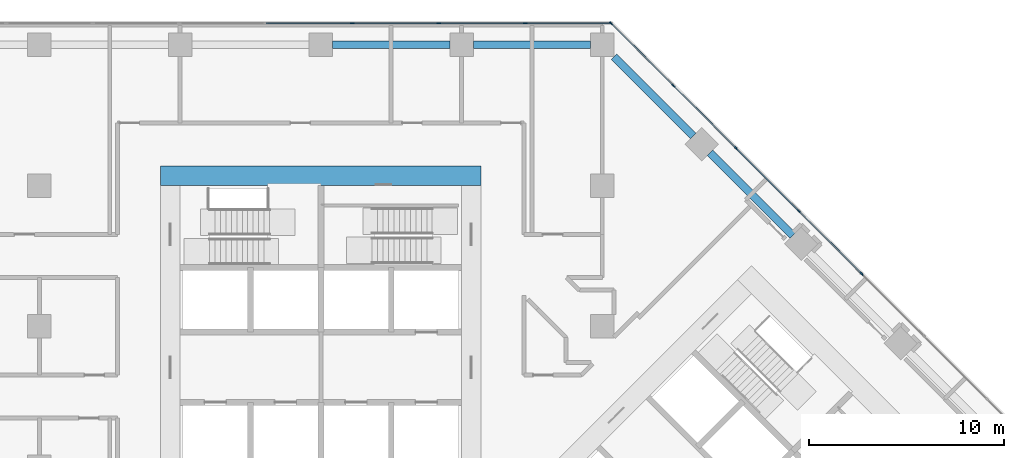
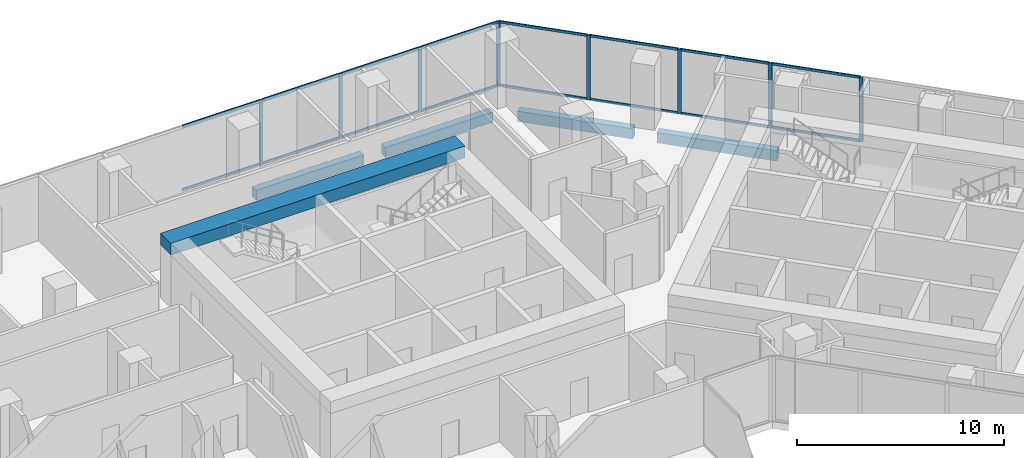
# One storey, part 13 of 27: 24 members, 5 beams, 2 elements without a shape of their own.
"""IFC4 building model written with IfcOpenShell, lengths in metres."""

import ifcopenshell
import ifcopenshell.guid

model = None  # the IFC model being written
_history = None  # IfcOwnerHistory: only IFC2X3 demands one
_inside = {}  # id of a spatial element -> (the spatial element, [elements in it])
_under = {}  # id of a project, library or spatial element -> (it, [spatial elements below it])
_declared = {}  # id of a project -> (the project, [libraries it declares])
_typed = {}  # id of a type object -> (the type object, [elements of that type])
_made_of = {}  # id of a material, layer set ... -> (it, [elements and type objects made of it])


def new_model(schema):
    """Start an empty IFC model of exactly this schema.

    Asked for "IFC4X3", IfcOpenShell would pick the latest addendum, in which some entities
    have other attributes; the version numbers below select the first issue.
    IFC2X3 requires an IfcOwnerHistory on every rooted entity: one is made here for all.
    """
    global model, _history
    if schema == "IFC4X3":
        model = ifcopenshell.file(schema_version=(4, 3, 0, 0))
    else:
        model = ifcopenshell.file(schema=schema)
    _inside.clear()
    _under.clear()
    _declared.clear()
    _typed.clear()
    _made_of.clear()
    _history = None
    if model.schema == "IFC2X3":
        org = make("IfcOrganization", Name="unknown")
        user = make(
            "IfcPersonAndOrganization",
            ThePerson=make("IfcPerson", FamilyName="unknown"),
            TheOrganization=org,
        )
        app = make(
            "IfcApplication",
            ApplicationDeveloper=org,
            Version="unknown",
            ApplicationFullName="unknown",
            ApplicationIdentifier="unknown",
        )
        _history = make(
            "IfcOwnerHistory",
            OwningUser=user,
            OwningApplication=app,
            ChangeAction="ADDED",
            CreationDate=0,
        )
    return model


def make(cls, **values):
    """One entity of the class cls with the attributes given. An attribute that is None is left unset."""
    return model.create_entity(
        cls, **{name: value for name, value in values.items() if value is not None}
    )


def rooted(cls, **values):
    """An entity with a GlobalId (a new one), such as an element, a storey or a relation."""
    return make(cls, GlobalId=ifcopenshell.guid.new(), OwnerHistory=_history, **values)


def si_unit(unit_type, name, prefix=None):
    """IfcSIUnit, for example si_unit("LENGTHUNIT", "METRE", prefix="MILLI")."""
    return make("IfcSIUnit", UnitType=unit_type, Prefix=prefix, Name=name)


def assignment(units):
    """IfcUnitAssignment: the units of a project."""
    return None if units is None else make("IfcUnitAssignment", Units=units)


def point(xyz):
    """IfcCartesianPoint."""
    return None if xyz is None else make("IfcCartesianPoint", Coordinates=xyz)


def direction(xyz):
    """IfcDirection."""
    return None if xyz is None else make("IfcDirection", DirectionRatios=xyz)


def frame(location, z_axis=None, x_axis=None):
    """IfcAxis2Placement3D, a coordinate frame: its origin and axes. An axis left out is left unset."""
    return make(
        "IfcAxis2Placement3D",
        Location=point(location),
        Axis=direction(z_axis),
        RefDirection=direction(x_axis),
    )


def frame_2d(location, x_axis=None):
    """IfcAxis2Placement2D, a coordinate frame in the plane: its origin and x axis."""
    return make(
        "IfcAxis2Placement2D", Location=point(location), RefDirection=direction(x_axis)
    )


def origin():
    """The frame at (0, 0, 0) with its axes left unset."""
    return frame((0.0, 0.0, 0.0))


def origin_2d():
    """The frame at (0, 0) in the plane with its x axis left unset."""
    return frame_2d((0.0, 0.0))


def place(relative_to, where):
    """IfcLocalPlacement: puts the frame where relative to a parent placement (None: the world)."""
    return make(
        "IfcLocalPlacement", PlacementRelTo=relative_to, RelativePlacement=where
    )


def context(
    kind, dimensions, precision=None, world=None, true_north=None, identifier=None
):
    """IfcGeometricRepresentationContext, for example the 3D "Model" context."""
    return make(
        "IfcGeometricRepresentationContext",
        ContextIdentifier=identifier,
        ContextType=kind,
        CoordinateSpaceDimension=dimensions,
        Precision=precision,
        WorldCoordinateSystem=world,
        TrueNorth=true_north,
    )


def subcontext(parent, identifier, kind, view, scale=None):
    """IfcGeometricRepresentationSubContext, for example "Body" below "Model"."""
    return make(
        "IfcGeometricRepresentationSubContext",
        ContextIdentifier=identifier,
        ContextType=kind,
        ParentContext=parent,
        TargetScale=scale,
        TargetView=view,
    )


def project(units=None, contexts=None):
    """IfcProject with its units and contexts."""
    return rooted(
        "IfcProject",
        Name="project",
        RepresentationContexts=contexts,
        UnitsInContext=assignment(units),
    )


def spatial(cls, under=None, at=None, **own):
    """A site, building, storey or space (cls), placed at a placement, below another one or the project."""
    s = rooted(cls, ObjectPlacement=at, **own)
    if under is not None:
        _under.setdefault(under.id(), (under, []))[1].append(s)
    return s


def profile(cls, at=None, kind="AREA", **sizes):
    """A parametric profile (cls). Its sizes go by their IFC names, for example OverallWidth=200.0."""
    return make(cls, ProfileType=kind, Position=at, **sizes)


def rectangle(**sizes):
    """IfcRectangleProfileDef."""
    return profile("IfcRectangleProfileDef", **sizes)


def extrude(swept, where, along, depth):
    """IfcExtrudedAreaSolid: the profile swept, set in the frame where, extruded along a direction by depth."""
    return make(
        "IfcExtrudedAreaSolid",
        SweptArea=swept,
        Position=where,
        ExtrudedDirection=direction(along),
        Depth=depth,
    )


def shape(context_of_items, identifier, shape_type, items):
    """IfcShapeRepresentation: the items that make up one representation, for example the "Body"."""
    return make(
        "IfcShapeRepresentation",
        ContextOfItems=context_of_items,
        RepresentationIdentifier=identifier,
        RepresentationType=shape_type,
        Items=items,
    )


def material(Name=None, Category=None):
    """IfcMaterial."""
    return make("IfcMaterial", Name=Name, Category=Category)


def material_profile(
    of_material, cross_section, Name=None, Category=None, Priority=None
):
    """IfcMaterialProfile: a cross section and its material."""
    return make(
        "IfcMaterialProfile",
        Name=Name,
        Material=of_material,
        Profile=cross_section,
        Priority=Priority,
        Category=Category,
    )


def profile_set(profiles, Name=None, composite=None):
    """IfcMaterialProfileSet."""
    return make(
        "IfcMaterialProfileSet",
        Name=Name,
        MaterialProfiles=profiles,
        CompositeProfile=composite,
    )


def made_of(thing, what):
    """Note that an element or type object is made of a material, layer set ...; save() writes the relation."""
    if what is not None:
        _made_of.setdefault(what.id(), (what, []))[1].append(thing)
    return thing


def type_object(cls, material=None, **own):
    """A type object (cls), such as IfcWallType, which elements share."""
    return made_of(rooted(cls, **own), material)


def element(
    cls,
    number,
    at=None,
    inside=None,
    cuts=None,
    type_object=None,
    material=None,
    context=None,
    identifier="Body",
    shape_type=None,
    held_by="IfcProductDefinitionShape",
    body=None,
    shapes=None,
    **own,
):
    """One element of the class cls, such as IfcWall. Its Tag is "e" and its number.

    at: its placement. inside: the storey or other place that contains it. cuts: it is an
    opening in that element (IfcRelVoidsElement). A single representation is given by context,
    identifier, shape_type and body (its items); several are given by shapes. held_by: the class
    of the entity that holds the representations. save() writes the other relations.
    """
    e = rooted(cls, Tag="e%d" % number, ObjectPlacement=at, **own)
    if body is not None:
        shapes = [shape(context, identifier, shape_type, body)]
    if shapes is not None:
        e.Representation = make(held_by, Representations=shapes)
    if inside is not None:
        _inside.setdefault(inside.id(), (inside, []))[1].append(e)
    if cuts is not None:
        rooted(
            "IfcRelVoidsElement", RelatingBuildingElement=cuts, RelatedOpeningElement=e
        )
    if type_object is not None:
        _typed.setdefault(type_object.id(), (type_object, []))[1].append(e)
    return made_of(e, material)


def aggregate(whole, parts):
    """IfcRelAggregates: a whole, such as a stair, and the parts it consists of."""
    return rooted("IfcRelAggregates", RelatingObject=whole, RelatedObjects=parts)


def save(model, path):
    """Write the relations noted so far, then the file.

    IfcRelAggregates (storeys below a building ...), IfcRelContainedInSpatialStructure (elements
    in a storey), IfcRelDefinesByType, IfcRelAssociatesMaterial and IfcRelDeclares: one each for
    every whole, place, type object, material and project.
    """
    for whole, parts in _under.values():
        aggregate(whole, parts)
    for where, things in _inside.values():
        rooted(
            "IfcRelContainedInSpatialStructure",
            RelatedElements=things,
            RelatingStructure=where,
        )
    for kind, things in _typed.values():
        rooted("IfcRelDefinesByType", RelatedObjects=things, RelatingType=kind)
    for what, things in _made_of.values():
        rooted("IfcRelAssociatesMaterial", RelatedObjects=things, RelatingMaterial=what)
    for by, libraries in _declared.values():
        rooted("IfcRelDeclares", RelatingContext=by, RelatedDefinitions=libraries)
    model.write(path)


model = new_model("IFC4")

# Units and contexts
model_context = context("Model", 3, precision=1e-05, world=origin(), true_north=direction((0.0, 1.0)))
body_context = subcontext(model_context, "Body", "Model", "MODEL_VIEW")
ifc_project = project(units=[si_unit("LENGTHUNIT", "METRE"), si_unit("AREAUNIT", "SQUARE_METRE"), si_unit("VOLUMEUNIT", "CUBIC_METRE"), si_unit("PLANEANGLEUNIT", "RADIAN"), si_unit("MASSUNIT", "GRAM", prefix="KILO")], contexts=[model_context])

# Site, building, storey
site_placement = place(None, origin())
site = spatial("IfcSite", under=ifc_project, at=site_placement, CompositionType="ELEMENT")
building_placement = place(site_placement, origin())
building = spatial("IfcBuilding", under=site, at=building_placement, Name="Windrow Commons", CompositionType="ELEMENT")
storey_placement = place(building_placement, frame((0.0, 0.0, 6.0)))
storey = spatial("IfcBuildingStorey", under=building, at=storey_placement, Name="L01", CompositionType="ELEMENT", Elevation=6.0)

# Curtain wall, members
ifc_material_1 = material(Name="Clear laminated glass in Aluminium 6063-T6 anodised frame", Category="aluminium")
curtain_wall_type = type_object("IfcCurtainWallType", Name="Curtain wall CW1 podium study hall", PredefinedType="USERDEFINED", material=ifc_material_1)
placement = place(storey_placement, origin())
curtain_wall_1 = element("IfcCurtainWall", 1, at=placement, inside=storey, type_object=curtain_wall_type, Name="Curtain wall CW1 L01 4", ObjectType="STICK", PredefinedType="USERDEFINED")
ifc_material_2 = material(Name="Aluminium 6063-T6", Category="aluminium")
ifc_material_profile_1 = material_profile(ifc_material_2, rectangle(XDim=0.06, YDim=0.2, at=origin_2d()))
ifc_profile_set_1 = profile_set([ifc_material_profile_1], Name="Aluminium 6063-T6")
member_type_1 = type_object("IfcMemberType", Name="CW1 mullion 60x200", PredefinedType="MULLION", material=ifc_profile_set_1)
member_1_placement = place(storey_placement, frame((92.4715, 60.2842, 0.0), z_axis=(0.0, 0.0, 1.0), x_axis=(-0.7071067812, -0.7071067812, 0.0)))
member_1 = element("IfcMember", 2, at=member_1_placement, type_object=member_type_1, Name="CW1 mullion 9", PredefinedType="MULLION", context=body_context, shape_type="SweptSolid", body=[
    extrude(rectangle(XDim=0.06, YDim=0.2, at=origin_2d()), origin(), (0.0, 0.0, 1.0), 3.8),
])
member_2_placement = place(storey_placement, frame((89.2602, 63.4955, 0.0), z_axis=(0.0, 0.0, 1.0), x_axis=(-0.7071067812, -0.7071067812, 0.0)))
member_2 = element("IfcMember", 3, at=member_2_placement, type_object=member_type_1, Name="CW1 mullion 10", PredefinedType="MULLION", context=body_context, shape_type="SweptSolid", body=[
    extrude(rectangle(XDim=0.06, YDim=0.2, at=origin_2d()), origin(), (0.0, 0.0, 1.0), 3.8),
])
member_3_placement = place(storey_placement, frame((86.0489, 66.7068, 0.0), z_axis=(0.0, 0.0, 1.0), x_axis=(-0.7071067812, -0.7071067812, 0.0)))
member_3 = element("IfcMember", 4, at=member_3_placement, type_object=member_type_1, Name="CW1 mullion 11", PredefinedType="MULLION", context=body_context, shape_type="SweptSolid", body=[
    extrude(rectangle(XDim=0.06, YDim=0.2, at=origin_2d()), origin(), (0.0, 0.0, 1.0), 3.8),
])
member_4_placement = place(storey_placement, frame((82.8377, 69.918, 0.0), z_axis=(0.0, 0.0, 1.0), x_axis=(-0.7071067812, -0.7071067812, 0.0)))
member_4 = element("IfcMember", 5, at=member_4_placement, type_object=member_type_1, Name="CW1 mullion 12", PredefinedType="MULLION", context=body_context, shape_type="SweptSolid", body=[
    extrude(rectangle(XDim=0.06, YDim=0.2, at=origin_2d()), origin(), (0.0, 0.0, 1.0), 3.8),
])
member_5_placement = place(storey_placement, frame((79.6476, 73.1081, 0.0), z_axis=(0.0, 0.0, 1.0), x_axis=(-0.7071067812, -0.7071067812, 0.0)))
member_5 = element("IfcMember", 6, at=member_5_placement, type_object=member_type_1, Name="CW1 mullion 13", PredefinedType="MULLION", context=body_context, shape_type="SweptSolid", body=[
    extrude(rectangle(XDim=0.06, YDim=0.2, at=origin_2d()), origin(), (0.0, 0.0, 1.0), 3.8),
])

curtain_wall_2 = element("IfcCurtainWall", 7, at=placement, inside=storey, type_object=curtain_wall_type, Name="Curtain wall CW1 L01 5", ObjectType="STICK", PredefinedType="USERDEFINED")
member_6_placement = place(storey_placement, frame((75.2695, 73.1, 0.0), z_axis=(0.0, 0.0, 1.0), x_axis=(0.0, -1.0, 0.0)))
member_6 = element("IfcMember", 8, at=member_6_placement, type_object=member_type_1, Name="CW1 mullion 2", PredefinedType="MULLION", context=body_context, shape_type="SweptSolid", body=[
    extrude(rectangle(XDim=0.06, YDim=0.2, at=origin_2d()), origin(), (0.0, 0.0, 1.0), 3.8),
])
member_7_placement = place(storey_placement, frame((70.8419, 73.1, 0.0), z_axis=(0.0, 0.0, 1.0), x_axis=(0.0, -1.0, 0.0)))
member_7 = element("IfcMember", 9, at=member_7_placement, type_object=member_type_1, Name="CW1 mullion 3", PredefinedType="MULLION", context=body_context, shape_type="SweptSolid", body=[
    extrude(rectangle(XDim=0.06, YDim=0.2, at=origin_2d()), origin(), (0.0, 0.0, 1.0), 3.8),
])
member_8_placement = place(storey_placement, frame((66.4142, 73.1, 0.0), z_axis=(0.0, 0.0, 1.0), x_axis=(0.0, -1.0, 0.0)))
member_8 = element("IfcMember", 10, at=member_8_placement, type_object=member_type_1, Name="CW1 mullion 4", PredefinedType="MULLION", context=body_context, shape_type="SweptSolid", body=[
    extrude(rectangle(XDim=0.06, YDim=0.2, at=origin_2d()), origin(), (0.0, 0.0, 1.0), 3.8),
])

# Member
ifc_material_3 = material(Name="Aluminium 6063-T6", Category="aluminium")
ifc_material_profile_2 = material_profile(ifc_material_3, rectangle(XDim=0.06, YDim=0.15, at=origin_2d()))
ifc_profile_set_2 = profile_set([ifc_material_profile_2], Name="Aluminium 6063-T6")
member_type_2 = type_object("IfcMemberType", Name="CW1 transom 60x150", PredefinedType="USERDEFINED", material=ifc_profile_set_2)
member_9_placement = place(storey_placement, frame((92.4502, 60.3054, 0.03), z_axis=(-0.7070956239, 0.7071179382, 0.0), x_axis=(-0.7071179382, -0.7070956239, 0.0)))
member_9 = element("IfcMember", 11, at=member_9_placement, type_object=member_type_2, Name="CW1 transom 9.1", ObjectType="TRANSOM", PredefinedType="USERDEFINED", context=body_context, shape_type="SweptSolid", body=[
    extrude(rectangle(XDim=0.06, YDim=0.15, at=origin_2d()), origin(), (0.0, 0.0, 1.0), 4.4814),
])

member_10_placement = place(storey_placement, frame((92.4502, 60.3054, 3.77), z_axis=(-0.7070956239, 0.7071179382, 0.0), x_axis=(-0.7071179382, -0.7070956239, 0.0)))
member_10 = element("IfcMember", 12, at=member_10_placement, type_object=member_type_2, Name="CW1 transom 9.2", ObjectType="TRANSOM", PredefinedType="USERDEFINED", context=body_context, shape_type="SweptSolid", body=[
    extrude(rectangle(XDim=0.06, YDim=0.15, at=origin_2d()), origin(), (0.0, 0.0, 1.0), 4.4814),
])

member_11_placement = place(storey_placement, frame((89.239, 63.5167, 0.03), z_axis=(-0.7071179382, 0.7070956239, 0.0), x_axis=(-0.7070956239, -0.7071179382, 0.0)))
member_11 = element("IfcMember", 13, at=member_11_placement, type_object=member_type_2, Name="CW1 transom 10.1", ObjectType="TRANSOM", PredefinedType="USERDEFINED", context=body_context, shape_type="SweptSolid", body=[
    extrude(rectangle(XDim=0.06, YDim=0.15, at=origin_2d()), origin(), (0.0, 0.0, 1.0), 4.4814),
])

member_12_placement = place(storey_placement, frame((89.239, 63.5167, 3.77), z_axis=(-0.7071179382, 0.7070956239, 0.0), x_axis=(-0.7070956239, -0.7071179382, 0.0)))
member_12 = element("IfcMember", 14, at=member_12_placement, type_object=member_type_2, Name="CW1 transom 10.2", ObjectType="TRANSOM", PredefinedType="USERDEFINED", context=body_context, shape_type="SweptSolid", body=[
    extrude(rectangle(XDim=0.06, YDim=0.15, at=origin_2d()), origin(), (0.0, 0.0, 1.0), 4.4814),
])

member_13_placement = place(storey_placement, frame((86.0277, 66.728, 0.03), z_axis=(-0.7071067812, 0.7071067812, 0.0), x_axis=(-0.7071067812, -0.7071067812, 0.0)))
member_13 = element("IfcMember", 15, at=member_13_placement, type_object=member_type_2, Name="CW1 transom 11.1", ObjectType="TRANSOM", PredefinedType="USERDEFINED", context=body_context, shape_type="SweptSolid", body=[
    extrude(rectangle(XDim=0.06, YDim=0.15, at=origin_2d()), origin(), (0.0, 0.0, 1.0), 4.4814),
])

member_14_placement = place(storey_placement, frame((86.0277, 66.728, 3.77), z_axis=(-0.7071067812, 0.7071067812, 0.0), x_axis=(-0.7071067812, -0.7071067812, 0.0)))
member_14 = element("IfcMember", 16, at=member_14_placement, type_object=member_type_2, Name="CW1 transom 11.2", ObjectType="TRANSOM", PredefinedType="USERDEFINED", context=body_context, shape_type="SweptSolid", body=[
    extrude(rectangle(XDim=0.06, YDim=0.15, at=origin_2d()), origin(), (0.0, 0.0, 1.0), 4.4814),
])

member_15_placement = place(storey_placement, frame((82.8164, 69.9392, 0.03), z_axis=(-0.7070955488, 0.7071180134, 0.0), x_axis=(-0.7071180134, -0.7070955488, 0.0)))
member_15 = element("IfcMember", 17, at=member_15_placement, type_object=member_type_2, Name="CW1 transom 12.1", ObjectType="TRANSOM", PredefinedType="USERDEFINED", context=body_context, shape_type="SweptSolid", body=[
    extrude(rectangle(XDim=0.06, YDim=0.15, at=origin_2d()), origin(), (0.0, 0.0, 1.0), 4.4514),
])

member_16_placement = place(storey_placement, frame((82.8164, 69.9392, 3.77), z_axis=(-0.7070955488, 0.7071180134, 0.0), x_axis=(-0.7071180134, -0.7070955488, 0.0)))
member_16 = element("IfcMember", 18, at=member_16_placement, type_object=member_type_2, Name="CW1 transom 12.2", ObjectType="TRANSOM", PredefinedType="USERDEFINED", context=body_context, shape_type="SweptSolid", body=[
    extrude(rectangle(XDim=0.06, YDim=0.15, at=origin_2d()), origin(), (0.0, 0.0, 1.0), 4.4514),
])

aggregate(curtain_wall_1, [member_1, member_2, member_3, member_4, member_5, member_9, member_10, member_11, member_12, member_13, member_14, member_15, member_16])

member_17_placement = place(storey_placement, frame((79.6371, 73.1, 0.03), z_axis=(-1.0, 0.0, 0.0), x_axis=(0.0, -1.0, 0.0)))
member_17 = element("IfcMember", 19, at=member_17_placement, type_object=member_type_2, Name="CW1 transom 1.1", ObjectType="TRANSOM", PredefinedType="USERDEFINED", context=body_context, shape_type="SweptSolid", body=[
    extrude(rectangle(XDim=0.06, YDim=0.15, at=origin_2d()), origin(), (0.0, 0.0, 1.0), 4.3376),
])

member_18_placement = place(storey_placement, frame((79.6371, 73.1, 3.77), z_axis=(-1.0, 0.0, 0.0), x_axis=(0.0, -1.0, 0.0)))
member_18 = element("IfcMember", 20, at=member_18_placement, type_object=member_type_2, Name="CW1 transom 1.2", ObjectType="TRANSOM", PredefinedType="USERDEFINED", context=body_context, shape_type="SweptSolid", body=[
    extrude(rectangle(XDim=0.06, YDim=0.15, at=origin_2d()), origin(), (0.0, 0.0, 1.0), 4.3376),
])

member_19_placement = place(storey_placement, frame((75.2395, 73.1, 0.03), z_axis=(-1.0, 0.0, 0.0), x_axis=(0.0, -1.0, 0.0)))
member_19 = element("IfcMember", 21, at=member_19_placement, type_object=member_type_2, Name="CW1 transom 2.1", ObjectType="TRANSOM", PredefinedType="USERDEFINED", context=body_context, shape_type="SweptSolid", body=[
    extrude(rectangle(XDim=0.06, YDim=0.15, at=origin_2d()), origin(), (0.0, 0.0, 1.0), 4.3676),
])

member_20_placement = place(storey_placement, frame((75.2395, 73.1, 3.77), z_axis=(-1.0, 0.0, 0.0), x_axis=(0.0, -1.0, 0.0)))
member_20 = element("IfcMember", 22, at=member_20_placement, type_object=member_type_2, Name="CW1 transom 2.2", ObjectType="TRANSOM", PredefinedType="USERDEFINED", context=body_context, shape_type="SweptSolid", body=[
    extrude(rectangle(XDim=0.06, YDim=0.15, at=origin_2d()), origin(), (0.0, 0.0, 1.0), 4.3676),
])

member_21_placement = place(storey_placement, frame((70.8119, 73.1, 0.03), z_axis=(-1.0, 0.0, 0.0), x_axis=(0.0, -1.0, 0.0)))
member_21 = element("IfcMember", 23, at=member_21_placement, type_object=member_type_2, Name="CW1 transom 3.1", ObjectType="TRANSOM", PredefinedType="USERDEFINED", context=body_context, shape_type="SweptSolid", body=[
    extrude(rectangle(XDim=0.06, YDim=0.15, at=origin_2d()), origin(), (0.0, 0.0, 1.0), 4.3677),
])

member_22_placement = place(storey_placement, frame((70.8119, 73.1, 3.77), z_axis=(-1.0, 0.0, 0.0), x_axis=(0.0, -1.0, 0.0)))
member_22 = element("IfcMember", 24, at=member_22_placement, type_object=member_type_2, Name="CW1 transom 3.2", ObjectType="TRANSOM", PredefinedType="USERDEFINED", context=body_context, shape_type="SweptSolid", body=[
    extrude(rectangle(XDim=0.06, YDim=0.15, at=origin_2d()), origin(), (0.0, 0.0, 1.0), 4.3677),
])

member_23_placement = place(storey_placement, frame((66.3842, 73.1, 0.03), z_axis=(-1.0, 0.0, 0.0), x_axis=(0.0, -1.0, 0.0)))
member_23 = element("IfcMember", 25, at=member_23_placement, type_object=member_type_2, Name="CW1 transom 4.1", ObjectType="TRANSOM", PredefinedType="USERDEFINED", context=body_context, shape_type="SweptSolid", body=[
    extrude(rectangle(XDim=0.06, YDim=0.15, at=origin_2d()), origin(), (0.0, 0.0, 1.0), 4.3676),
])

member_24_placement = place(storey_placement, frame((66.3842, 73.1, 3.77), z_axis=(-1.0, 0.0, 0.0), x_axis=(0.0, -1.0, 0.0)))
member_24 = element("IfcMember", 26, at=member_24_placement, type_object=member_type_2, Name="CW1 transom 4.2", ObjectType="TRANSOM", PredefinedType="USERDEFINED", context=body_context, shape_type="SweptSolid", body=[
    extrude(rectangle(XDim=0.06, YDim=0.15, at=origin_2d()), origin(), (0.0, 0.0, 1.0), 4.3676),
])

aggregate(curtain_wall_2, [member_6, member_7, member_8, member_17, member_18, member_19, member_20, member_21, member_22, member_23, member_24])

# Beams
ifc_material_4 = material(Name="Concrete C60/75", Category="concrete")
ifc_material_profile_3 = material_profile(ifc_material_4, rectangle(XDim=1.0, YDim=0.7, at=origin_2d()))
ifc_profile_set_3 = profile_set([ifc_material_profile_3], Name="Concrete C60/75")
beam_type_1 = type_object("IfcBeamType", Name="RC COUPLING BEAM 1000x700 C60/75", PredefinedType="LINTEL", material=ifc_profile_set_3)
beam_1_placement = place(storey_placement, frame((56.6, 65.3, 3.45), z_axis=(1.0, 0.0, 0.0), x_axis=(0.0, 1.0, 0.0)))
element("IfcBeam", 27, at=beam_1_placement, inside=storey, type_object=beam_type_1, Name="Core A coupling beam outer-N", PredefinedType="LINTEL", context=body_context, shape_type="SweptSolid", body=[
    extrude(rectangle(XDim=1.0, YDim=0.7, at=origin_2d()), origin(), (0.0, 0.0, 1.0), 16.4),
])
ifc_material_5 = material(Name="Concrete C60/75", Category="concrete")
ifc_material_profile_4 = material_profile(ifc_material_5, rectangle(XDim=0.4, YDim=0.6, at=origin_2d()))
ifc_profile_set_4 = profile_set([ifc_material_profile_4], Name="Concrete C60/75")
beam_type_2 = type_object("IfcBeamType", Name="RC EDGE BEAM 400x600 C60/75", PredefinedType="SPANDREL", material=ifc_profile_set_4)
for number, where, z_axis, x_axis, name in (
    (28, (65.4, 72.0, -0.7), (1.0, 0.0, 0.0), (0.0, 1.0, 0.0), "Edge beam L01 015"),
    (29, (72.6, 72.0, -0.7), (1.0, 0.0, 0.0), (0.0, 1.0, 0.0), "Edge beam L01 016"),
):
    element("IfcBeam", number, at=place(storey_placement, frame(where, z_axis=z_axis, x_axis=x_axis)), inside=storey, type_object=beam_type_2, Name=name, PredefinedType="SPANDREL", context=body_context, shape_type="SweptSolid", body=[
        extrude(rectangle(XDim=0.4, YDim=0.6, at=origin_2d()), origin(), (0.0, 0.0, 1.0), 6.0),
    ])
beam_2_placement = place(storey_placement, frame((79.8, 71.4, -0.7), z_axis=(0.7071067812, -0.7071067812, 0.0), x_axis=(0.7071067812, 0.7071067812, 0.0)))
element("IfcBeam", 30, at=beam_2_placement, inside=storey, type_object=beam_type_2, Name="Edge beam L01 017", PredefinedType="SPANDREL", context=body_context, shape_type="SweptSolid", body=[
    extrude(rectangle(XDim=0.4, YDim=0.6, at=origin_2d()), origin(), (0.0, 0.0, 1.0), 5.7515),
])
beam_3_placement = place(storey_placement, frame((84.7155, 66.4845, -0.7), z_axis=(0.7071067812, -0.7071067812, 0.0), x_axis=(0.7071067812, 0.7071067812, 0.0)))
element("IfcBeam", 31, at=beam_3_placement, inside=storey, type_object=beam_type_2, Name="Edge beam L01 018", PredefinedType="SPANDREL", context=body_context, shape_type="SweptSolid", body=[
    extrude(rectangle(XDim=0.4, YDim=0.6, at=origin_2d()), origin(), (0.0, 0.0, 1.0), 5.9998),
])

save(model, "model.ifc")
